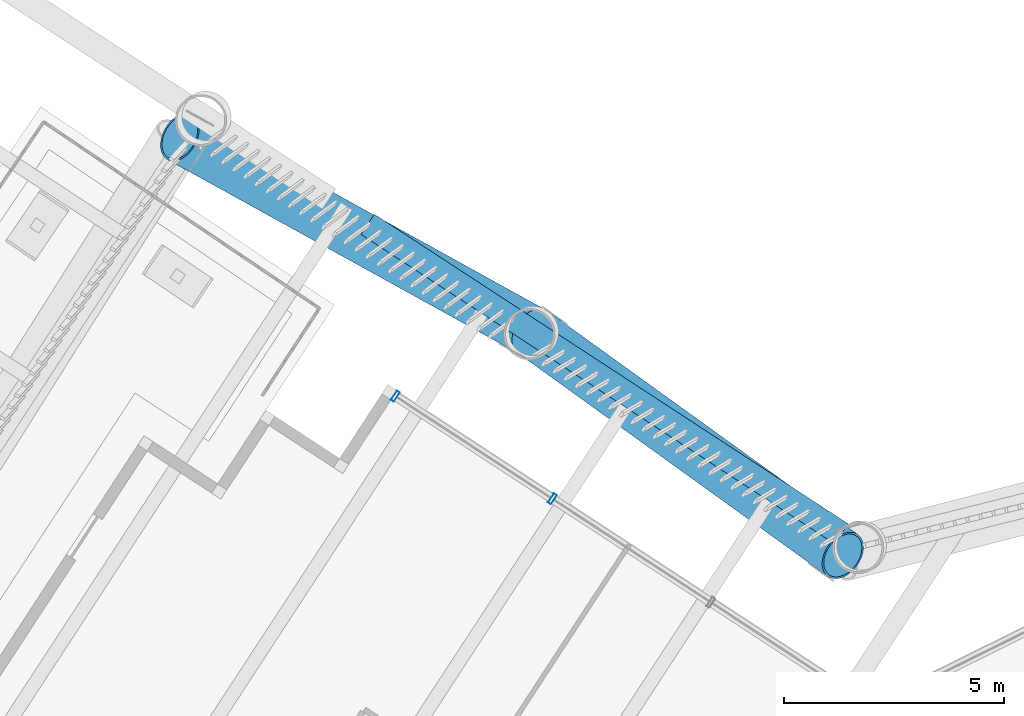
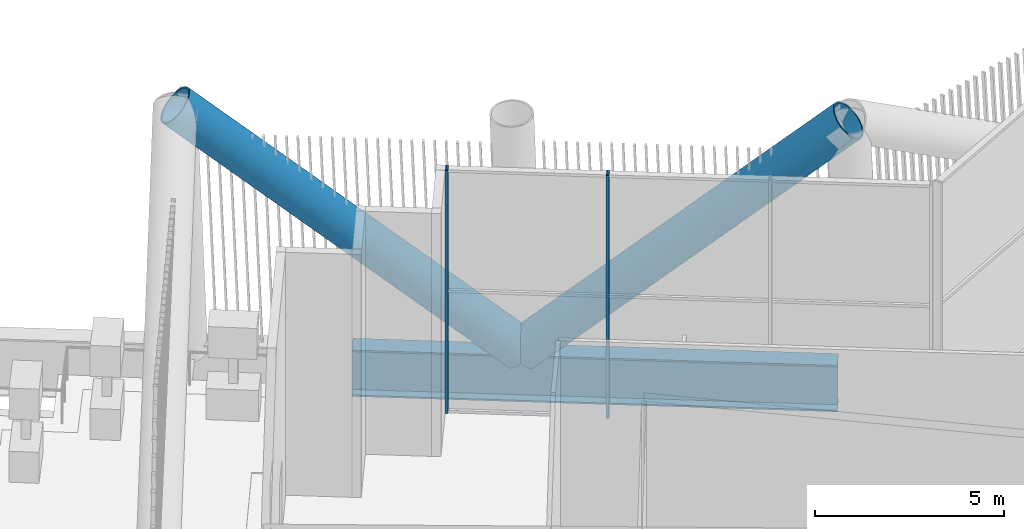
# One storey, part 28 of 63: 4 members, 1 beam, 1 element without a shape of its own.
"""IFC4 building model written with IfcOpenShell, lengths in metres."""

from ifc_helpers import new_model, si_unit, direction, frame, origin, origin_2d, place, context, subcontext, project, spatial, hollow_rectangle, hollow_circle, i_section, extrude, material, layer, layer_set, material_profile, profile_set, type_object, element, aggregate, save


model = new_model("IFC4")

# Units and contexts
model_context = context("Model", 3, precision=1e-05, world=origin(), true_north=direction((0.0, 1.0)))
body_context = subcontext(model_context, "Body", "Model", "MODEL_VIEW")
ifc_project = project(units=[si_unit("LENGTHUNIT", "METRE"), si_unit("AREAUNIT", "SQUARE_METRE"), si_unit("VOLUMEUNIT", "CUBIC_METRE"), si_unit("PLANEANGLEUNIT", "RADIAN"), si_unit("MASSUNIT", "GRAM", prefix="KILO")], contexts=[model_context])

# Site, building, storey
site_placement = place(None, origin())
site = spatial("IfcSite", under=ifc_project, at=site_placement, CompositionType="ELEMENT")
building_placement = place(site_placement, origin())
building = spatial("IfcBuilding", under=site, at=building_placement, Name="Tarsis Ring Headquarters", CompositionType="ELEMENT")
storey_placement = place(building_placement, frame((0.0, 0.0, 139.60009765625)))
storey = spatial("IfcBuildingStorey", under=building, at=storey_placement, Name="L32", CompositionType="ELEMENT", Elevation=139.60009765625)

# Curtain wall, members
ifc_material_1 = material(Name="Aluminium curtain wall", Category="aluminium")
ifc_layer = layer(ifc_material_1, 0.25)
ifc_layer_set = layer_set([ifc_layer], Name="Curtain wall sky lobby")
curtain_wall_type = type_object("IfcCurtainWallType", Name="Curtain wall sky lobby", PredefinedType="NOTDEFINED", material=ifc_layer_set)
curtain_wall_placement = place(storey_placement, origin())
curtain_wall = element("IfcCurtainWall", 1, at=curtain_wall_placement, inside=storey, type_object=curtain_wall_type, Name="Curtain wall L32-31", PredefinedType="NOTDEFINED")
ifc_material_2 = material(Name="Aluminium mullion", Category="aluminium")
ifc_material_profile_1 = material_profile(ifc_material_2, hollow_rectangle(XDim=0.25, YDim=0.080078125, WallThickness=0.0048828125, at=origin_2d()), Name="RHS 250x80x5")
ifc_profile_set_1 = profile_set([ifc_material_profile_1], Name="Aluminium mullion")
member_type_1 = type_object("IfcMemberType", Name="Curtain wall mullion sky lobby RHS 250x80x5", PredefinedType="MULLION", material=ifc_profile_set_1)
member_1_placement = place(storey_placement, frame((-19.83251953125, 27.143310546875, 0.0), z_axis=(0.0, 0.0, 1.0), x_axis=(-0.546978862274, -0.837146417436, 0.0)))
member_1 = element("IfcMember", 2, at=member_1_placement, type_object=member_type_1, Name="CW-S mullion 3", PredefinedType="MULLION", context=body_context, shape_type="SweptSolid", body=[
    extrude(hollow_rectangle(XDim=0.25, YDim=0.080078125, WallThickness=0.0048828125, at=origin_2d()), origin(), (0.0, 0.0, 1.0), 7.83984375),
])
member_2_placement = place(storey_placement, frame((-23.399169921875, 29.4736328125, 0.0), z_axis=(0.0, 0.0, 1.0), x_axis=(-0.546978862274, -0.837146417436, 0.0)))
member_2 = element("IfcMember", 3, at=member_2_placement, type_object=member_type_1, Name="CW-S mullion 4", PredefinedType="MULLION", context=body_context, shape_type="SweptSolid", body=[
    extrude(hollow_rectangle(XDim=0.25, YDim=0.080078125, WallThickness=0.0048828125, at=origin_2d()), origin(), (0.0, 0.0, 1.0), 7.83984375),
])
aggregate(curtain_wall, [member_1, member_2])

# Members
ifc_material_3 = material(Name="Structural steel S355", Category="steel")
ifc_material_profile_2 = material_profile(ifc_material_3, hollow_circle(Radius=0.584228515625, WallThickness=0.044921875, at=origin_2d()), Name="CHS 1168x45")
ifc_profile_set_2 = profile_set([ifc_material_profile_2], Name="Structural steel S355")
member_type_2 = type_object("IfcMemberType", Name="TD Belt truss diagonal CHS 1168x45", PredefinedType="BRACE", material=ifc_profile_set_2)
member_3_placement = place(storey_placement, frame((-20.281982421875, 30.93115234375, 0.0), z_axis=(0.596722302206, -0.429793089819, 0.677643264553), x_axis=(0.584441767353, 0.811435653994, 0.0)))
element("IfcMember", 4, at=member_3_placement, inside=storey, type_object=member_type_2, Name="Belt truss diagonal TD3", PredefinedType="BRACE", context=body_context, shape_type="SweptSolid", body=[
    extrude(hollow_circle(Radius=0.584228515625, WallThickness=0.044921875, at=origin_2d()), origin(), (0.0, 0.0, 1.0), 11.8056640625),
])
member_4_placement = place(storey_placement, frame((-20.281982421875, 30.93115234375, 0.0), z_axis=(-0.658981153319, 0.36432229418, 0.658037313178), x_axis=(-0.483837179497, -0.875158033578, 0.0)))
element("IfcMember", 5, at=member_4_placement, inside=storey, type_object=member_type_2, Name="Belt truss diagonal TD3", PredefinedType="BRACE", context=body_context, shape_type="SweptSolid", body=[
    extrude(hollow_circle(Radius=0.584228515625, WallThickness=0.044921875, at=origin_2d()), origin(), (0.0, 0.0, 1.0), 12.157470703125),
])

# Beam
ifc_material_profile_3 = material_profile(ifc_material_3, i_section(OverallWidth=0.550048828125, OverallDepth=1.5, WebThickness=0.030029296875, FlangeThickness=0.050048828125, at=origin_2d()), Name="PG 1500x550x30x50")
ifc_profile_set_3 = profile_set([ifc_material_profile_3], Name="Structural steel S355")
beam_type = type_object("IfcBeamType", Name="XG Ring girder PG 1500x550x30x50", PredefinedType="BEAM", material=ifc_profile_set_3)
beam_placement = place(storey_placement, frame((-24.027587890625, 33.37841796875, -0.75), z_axis=(0.837144277598, -0.546982137263, 0.0), x_axis=(0.546982137263, 0.837144277598, 0.0)))
element("IfcBeam", 6, at=beam_placement, inside=storey, type_object=beam_type, Name="Ring girder XG6", PredefinedType="BEAM", context=body_context, shape_type="SweptSolid", body=[
    extrude(i_section(OverallWidth=0.550048828125, OverallDepth=1.5, WebThickness=0.030029296875, FlangeThickness=0.050048828125, at=origin_2d()), origin(), (0.0, 0.0, 1.0), 12.8505859375),
])

save(model, "model.ifc")
